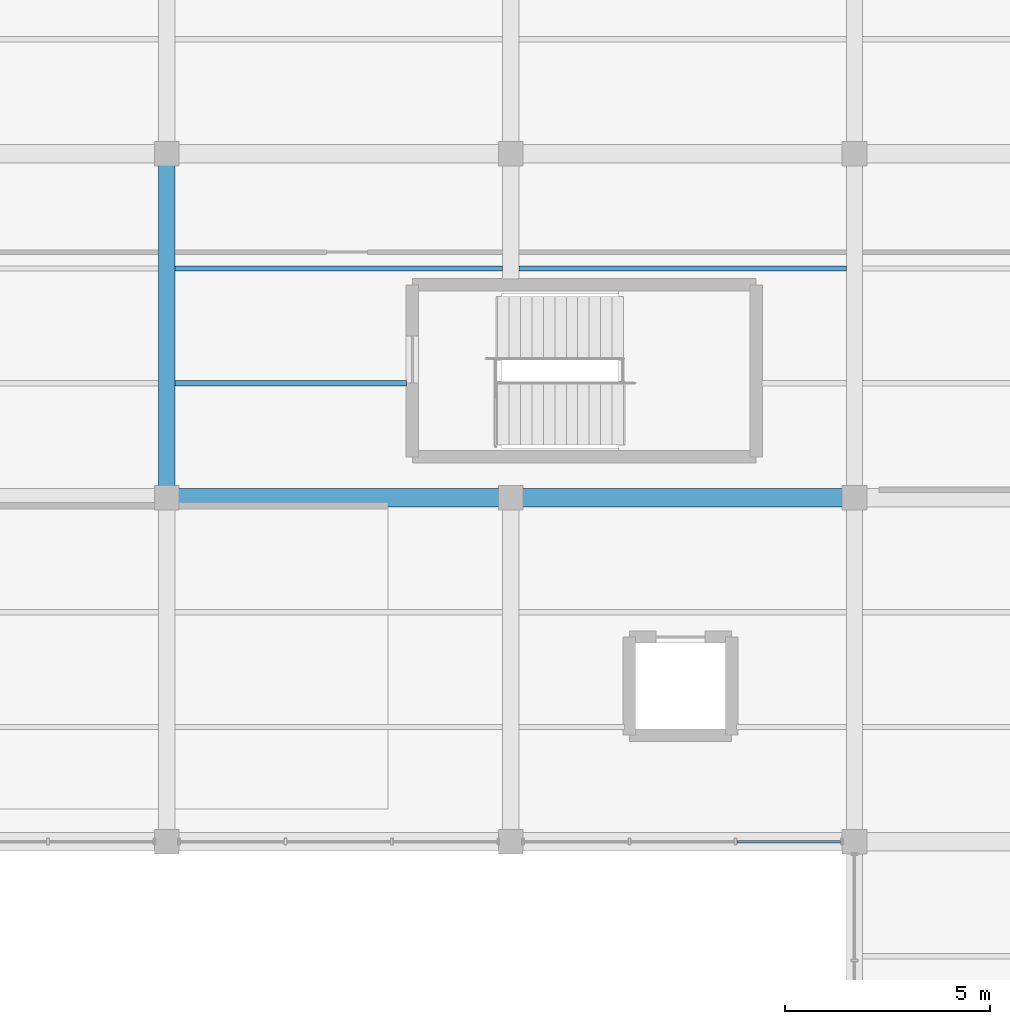
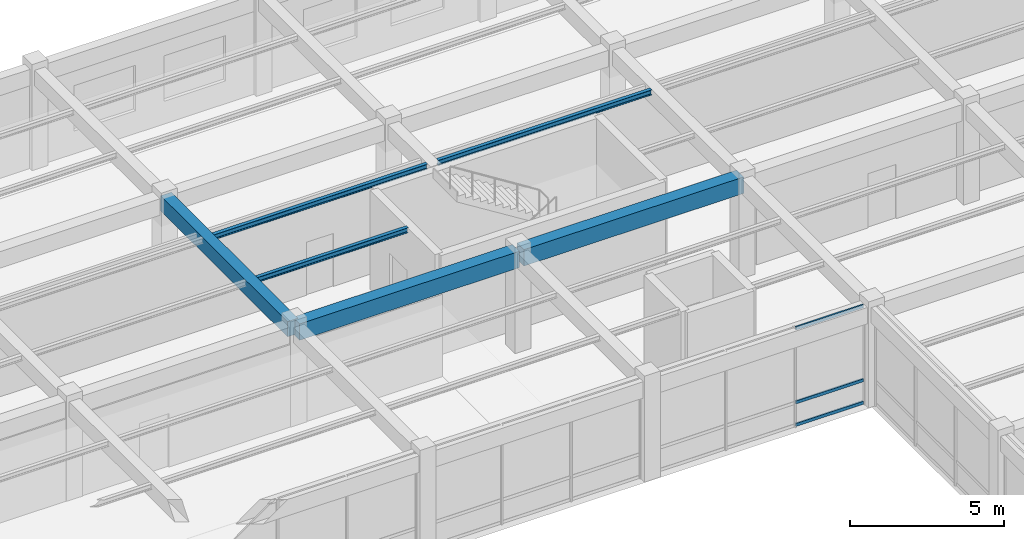
# One storey, part 19 of 114: 6 beams, 3 members, 1 element without a shape of its own.
"""IFC4 building model written with IfcOpenShell, lengths in metres."""

from ifc_helpers import new_model, si_unit, direction, frame, origin, origin_2d, place, context, subcontext, project, spatial, rectangle, hollow_rectangle, i_section, extrude, material, material_profile, profile_set, type_object, element, aggregate, save


model = new_model("IFC4")

# Units and contexts
model_context = context("Model", 3, precision=1e-05, world=origin(), true_north=direction((0.0, 1.0)))
body_context = subcontext(model_context, "Body", "Model", "MODEL_VIEW")
ifc_project = project(units=[si_unit("LENGTHUNIT", "METRE"), si_unit("AREAUNIT", "SQUARE_METRE"), si_unit("VOLUMEUNIT", "CUBIC_METRE"), si_unit("PLANEANGLEUNIT", "RADIAN"), si_unit("MASSUNIT", "GRAM", prefix="KILO"), si_unit("THERMODYNAMICTEMPERATUREUNIT", "KELVIN"), si_unit("POWERUNIT", "WATT")], contexts=[model_context])

# Site, building, storey
site_placement = place(None, origin())
site = spatial("IfcSite", under=ifc_project, at=site_placement, CompositionType="ELEMENT")
building_placement = place(site_placement, origin())
building = spatial("IfcBuilding", under=site, at=building_placement, Name="Darbajah Civic Hall", CompositionType="ELEMENT")
storey_placement = place(building_placement, frame((0.0, 0.0, 13.800048828125)))
storey = spatial("IfcBuildingStorey", under=building, at=storey_placement, Name="L03", CompositionType="ELEMENT", Elevation=13.800048828125)

# Curtain wall, members
ifc_material_1 = material(Name="Anodised Bronze Aluminium and Low-E Glazing", Category="aluminium")
curtain_wall_type = type_object("IfcCurtainWallType", Name="Unitised Curtain Wall CW-100 7800x3950", PredefinedType="USERDEFINED", material=ifc_material_1)
curtain_wall_placement = place(storey_placement, origin())
curtain_wall = element("IfcCurtainWall", 1, at=curtain_wall_placement, inside=storey, type_object=curtain_wall_type, Name="L03 unitised curtain wall CW-V5-L03-S2-B3", ObjectType="UNITISED CURTAIN WALL", PredefinedType="USERDEFINED")
ifc_material_2 = material(Name="Anodised Bronze Aluminium", Category="aluminium")
ifc_material_profile_1 = material_profile(ifc_material_2, hollow_rectangle(XDim=0.06005859375, YDim=0.1201171875, WallThickness=0.003173828125, at=origin_2d()), Name="ALU TRANSOM 60x120")
ifc_profile_set_1 = profile_set([ifc_material_profile_1], Name="Anodised Bronze Aluminium")
member_type = type_object("IfcMemberType", Name="ALU TRANSOM 60x120", PredefinedType="USERDEFINED", material=ifc_profile_set_1)
member_1_placement = place(storey_placement, frame((47.5341796875, 16.800048828125, 0.06005859375), z_axis=(1.0, 0.0, 0.0), x_axis=(0.0, 1.0, 0.0)))
member_1 = element("IfcMember", 2, at=member_1_placement, type_object=member_type, Name="CW-V5-L03-S2-B3 transom 3.1", ObjectType="TRANSOM", PredefinedType="USERDEFINED", context=body_context, shape_type="SweptSolid", body=[
    extrude(hollow_rectangle(XDim=0.06005859375, YDim=0.1201171875, WallThickness=0.003173828125, at=origin_2d()), origin(), (0.0, 0.0, 1.0), 2.52880859375),
])
member_2_placement = place(storey_placement, frame((47.5341796875, 16.800048828125, 0.949951171875), z_axis=(1.0, 0.0, 0.0), x_axis=(0.0, 1.0, 0.0)))
member_2 = element("IfcMember", 3, at=member_2_placement, type_object=member_type, Name="CW-V5-L03-S2-B3 transom 3.2", ObjectType="TRANSOM", PredefinedType="USERDEFINED", context=body_context, shape_type="SweptSolid", body=[
    extrude(hollow_rectangle(XDim=0.06005859375, YDim=0.1201171875, WallThickness=0.003173828125, at=origin_2d()), origin(), (0.0, 0.0, 1.0), 2.52880859375),
])
member_3_placement = place(storey_placement, frame((47.5341796875, 16.800048828125, 3.8798828125), z_axis=(1.0, 0.0, 0.0), x_axis=(0.0, 1.0, 0.0)))
member_3 = element("IfcMember", 4, at=member_3_placement, type_object=member_type, Name="CW-V5-L03-S2-B3 transom 3.3", ObjectType="TRANSOM", PredefinedType="USERDEFINED", context=body_context, shape_type="SweptSolid", body=[
    extrude(hollow_rectangle(XDim=0.06005859375, YDim=0.1201171875, WallThickness=0.003173828125, at=origin_2d()), origin(), (0.0, 0.0, 1.0), 2.52880859375),
])
aggregate(curtain_wall, [member_1, member_2, member_3])

# Beams
ifc_material_3 = material(Name="Concrete C45/55", Category="concrete")
ifc_material_profile_2 = material_profile(ifc_material_3, rectangle(XDim=0.39990234375, YDim=0.60009765625, at=origin_2d()), Name="RC BEAM 400x600")
ifc_profile_set_2 = profile_set([ifc_material_profile_2], Name="Concrete C45/55")
beam_type_1 = type_object("IfcBeamType", Name="RC BEAM 400x600", PredefinedType="BEAM", material=ifc_profile_set_2)
beam_1_placement = place(storey_placement, frame((33.60009765625, 25.280029296875, 3.639892578125), z_axis=(0.0, 1.0, 0.0), x_axis=(-1.0, 0.0, 0.0)))
element("IfcBeam", 5, at=beam_1_placement, inside=storey, type_object=beam_type_1, Name="L03 beam BM-4060", PredefinedType="BEAM", context=body_context, shape_type="SweptSolid", body=[
    extrude(rectangle(XDim=0.39990234375, YDim=0.60009765625, at=origin_2d()), origin(), (0.0, 0.0, 1.0), 8.239990234375),
])
ifc_material_profile_3 = material_profile(ifc_material_3, rectangle(XDim=0.449951171875, YDim=0.64990234375, at=origin_2d()), Name="RC BEAM 450x650")
ifc_profile_set_3 = profile_set([ifc_material_profile_3], Name="Concrete C45/55")
beam_type_2 = type_object("IfcBeamType", Name="RC BEAM 450x650", PredefinedType="BEAM", material=ifc_profile_set_3)
for number, where, z_axis, x_axis, name in (
    (6, (33.679931640625, 25.199951171875, 3.614990234375), (1.0, 0.0, 0.0), (0.0, 1.0, 0.0), "L03 beam BM-4565"),
    (7, (42.080078125, 25.199951171875, 3.614990234375), (1.0, 0.0, 0.0), (0.0, 1.0, 0.0), "L03 beam BM-4565"),
):
    element("IfcBeam", number, at=place(storey_placement, frame(where, z_axis=z_axis, x_axis=x_axis)), inside=storey, type_object=beam_type_2, Name=name, PredefinedType="BEAM", context=body_context, shape_type="SweptSolid", body=[
        extrude(rectangle(XDim=0.449951171875, YDim=0.64990234375, at=origin_2d()), origin(), (0.0, 0.0, 1.0), 8.239990234375),
    ])
ifc_material_4 = material(Name="Steel S355JR", Category="steel")
ifc_material_profile_4 = material_profile(ifc_material_4, i_section(OverallWidth=0.1337890625, OverallDepth=0.206787109375, WebThickness=0.00634765625, FlangeThickness=0.009521484375, FilletRadius=0.007568359375, at=origin_2d()), Name="UB 203x133x30")
ifc_profile_set_4 = profile_set([ifc_material_profile_4], Name="Steel S355JR")
beam_type_3 = type_object("IfcBeamType", Name="UB 203x133x30", PredefinedType="JOIST", material=ifc_profile_set_4)
beam_2_placement = place(storey_placement, frame((33.800048828125, 28.0, 3.836669921875), z_axis=(1.0, 0.0, 0.0), x_axis=(0.0, 1.0, 0.0)))
element("IfcBeam", 8, at=beam_2_placement, inside=storey, type_object=beam_type_3, Name="L03 beam SJ-203", PredefinedType="JOIST", context=body_context, shape_type="SweptSolid", body=[
    extrude(i_section(OverallWidth=0.1337890625, OverallDepth=0.206787109375, WebThickness=0.00634765625, FlangeThickness=0.009521484375, FilletRadius=0.007568359375, at=origin_2d()), origin(), (0.0, 0.0, 1.0), 5.659912109375),
])
for number, where, z_axis, x_axis, name in (
    (9, (33.800048828125, 30.800048828125, 3.836669921875), (1.0, 0.0, 0.0), (0.0, 1.0, 0.0), "L03 beam SJ-203"),
    (10, (42.199951171875, 30.800048828125, 3.836669921875), (1.0, 0.0, 0.0), (0.0, 1.0, 0.0), "L03 beam SJ-203"),
):
    element("IfcBeam", number, at=place(storey_placement, frame(where, z_axis=z_axis, x_axis=x_axis)), inside=storey, type_object=beam_type_3, Name=name, PredefinedType="JOIST", context=body_context, shape_type="SweptSolid", body=[
        extrude(i_section(OverallWidth=0.1337890625, OverallDepth=0.206787109375, WebThickness=0.00634765625, FlangeThickness=0.009521484375, FilletRadius=0.007568359375, at=origin_2d()), origin(), (0.0, 0.0, 1.0), 8.0),
    ])

save(model, "model.ifc")
